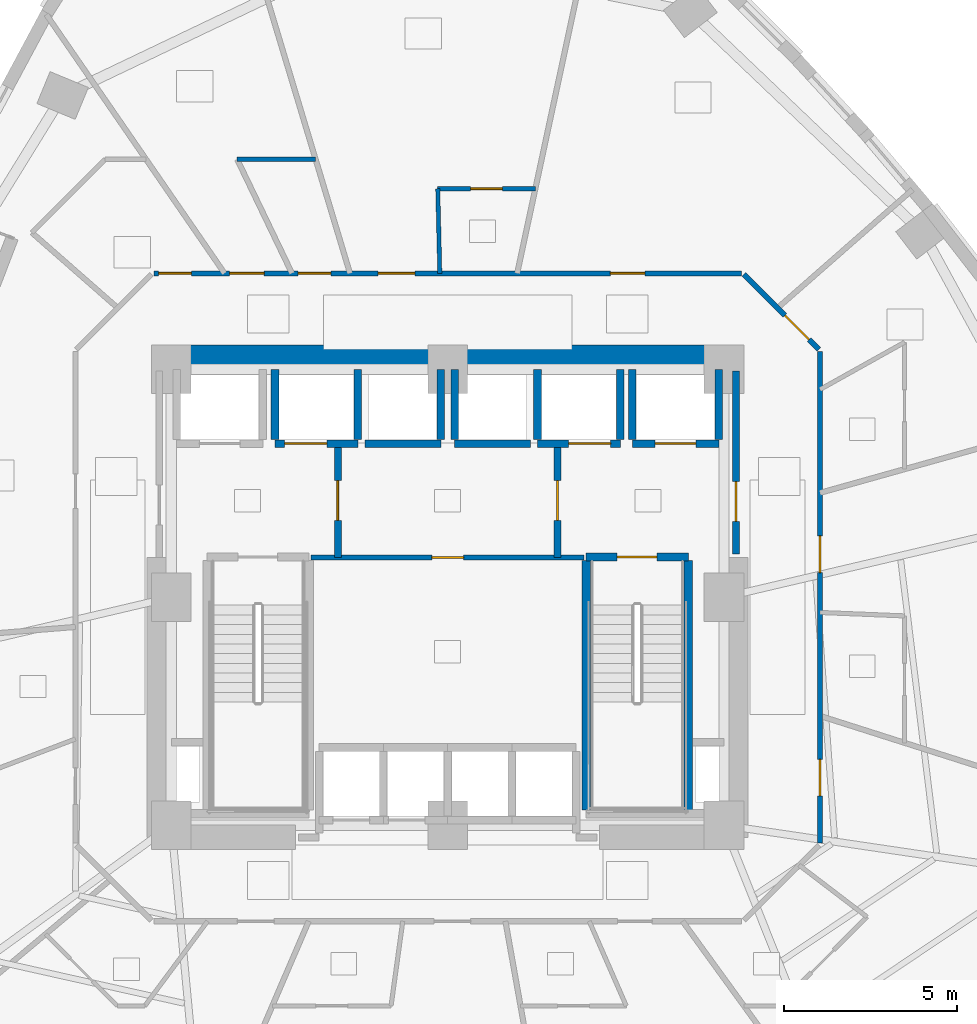
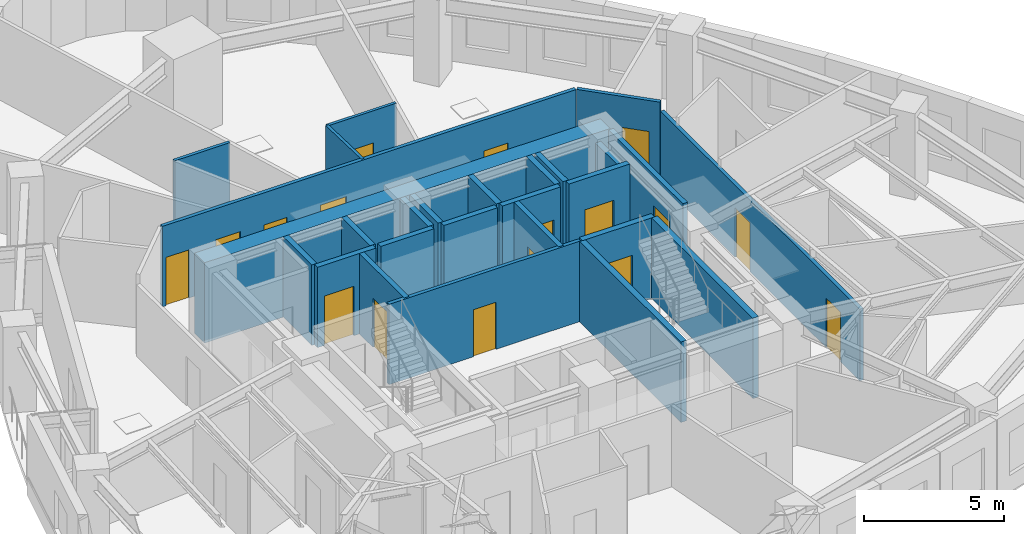
# One storey, part 7 of 12: 27 walls, 17 doors, 17 openings.
"""IFC4 building model written with IfcOpenShell, lengths in metres."""

from ifc_helpers import new_model, si_unit, direction, frame, frame_2d, origin, place, context, subcontext, project, spatial, rectangle, extrude, material, layer, layer_set, type_object, element, fill, save


model = new_model("IFC4")

# Units and contexts
model_context = context("Model", 3, precision=1e-05, world=origin(), true_north=direction((0.0, 1.0)))
body_context = subcontext(model_context, "Body", "Model", "MODEL_VIEW")
ifc_project = project(units=[si_unit("LENGTHUNIT", "METRE"), si_unit("AREAUNIT", "SQUARE_METRE"), si_unit("VOLUMEUNIT", "CUBIC_METRE"), si_unit("PLANEANGLEUNIT", "RADIAN"), si_unit("MASSUNIT", "GRAM", prefix="KILO")], contexts=[model_context])

# Site, building, storey
site_placement = place(None, origin())
site = spatial("IfcSite", under=ifc_project, at=site_placement, CompositionType="ELEMENT")
building_placement = place(site_placement, origin())
building = spatial("IfcBuilding", under=site, at=building_placement, Name="Ndelora Gate Hotel", CompositionType="ELEMENT")
storey_placement = place(building_placement, frame((0.0, 0.0, 68.0)))
storey = spatial("IfcBuildingStorey", under=building, at=storey_placement, Name="L16", CompositionType="ELEMENT", Elevation=68.0)

# Wall
ifc_material_1 = material(Name="Concrete C60/75", Category="concrete")
ifc_layer_1 = layer(ifc_material_1, 0.699951171875)
ifc_layer_set_1 = layer_set([ifc_layer_1], Name="Concrete C60/75")
wall_type_1 = type_object("IfcWallType", Name="WL-CORE-700", PredefinedType="SHEAR", material=ifc_layer_set_1)
wall_1_placement = place(storey_placement, frame((-8.35009765625, 6.949951171875, 0.0), z_axis=(0.0, 0.0, 1.0), x_axis=(1.0, 0.0, 0.0)))
element("IfcWall", 1, at=wall_1_placement, inside=storey, type_object=wall_type_1, Name="L16 Core Shear Wall N", PredefinedType="SHEAR", context=body_context, shape_type="SweptSolid", body=[
    extrude(rectangle(XDim=16.7001953125, YDim=0.699951171875, at=frame_2d((8.35009765625, 0.0))), origin(), (0.0, 0.0, 1.0), 3.5),
])

# Wall, opening, door
ifc_material_2 = material(Name="Concrete C40/50", Category="concrete")
ifc_layer_2 = layer(ifc_material_2, 0.199951171875)
ifc_layer_set_2 = layer_set([ifc_layer_2], Name="Concrete C40/50")
wall_type_2 = type_object("IfcWallType", Name="WL-FIRE-200", PredefinedType="PARTITIONING", material=ifc_layer_set_2)
wall_2_placement = place(storey_placement, frame((-3.179931640625, 1.14990234375, 0.0), z_axis=(0.0, 0.0, 1.0), x_axis=(0.0, 1.0, 0.0)))
wall_2 = element("IfcWall", 2, at=wall_2_placement, inside=storey, type_object=wall_type_2, Name="L16 Interior Wall IW-2", PredefinedType="PARTITIONING", context=body_context, shape_type="SweptSolid", body=[
    extrude(rectangle(XDim=3.300048828125, YDim=0.199951171875, at=frame_2d((1.64990234375, 0.0))), origin(), (0.0, 0.0, 1.0), 3.5),
])
opening_1_placement = place(wall_2_placement, frame((1.080078125, 0.0, 0.0)))
opening_1 = element("IfcOpeningElement", 3, at=opening_1_placement, cuts=wall_2, Name="Opening FD1", PredefinedType="OPENING", context=body_context, shape_type="SweptSolid", body=[
    extrude(rectangle(XDim=1.14990234375, YDim=2.14990234375, at=frame_2d((0.574951171875, 1.074951171875))), frame((0.0, 0.10986328125, 0.0), z_axis=(0.0, -1.0, 0.0), x_axis=(1.0, 0.0, 0.0)), (0.0, 0.0, 1.0), 0.219970703125),
])
ifc_material_3 = material(Name="Fire-Rated Timber-Veneer Steel Core", Category="steel")
door_type_1 = type_object("IfcDoorType", Name="DR-FD60", OperationType="SINGLE_SWING_LEFT", PredefinedType="DOOR", material=ifc_material_3)
door_1_placement = place(opening_1_placement, origin())
door_1 = element("IfcDoor", 4, at=door_1_placement, inside=storey, type_object=door_type_1, Name="L16 Firefighting Lobby West Door", OperationType="SINGLE_SWING_RIGHT", OverallHeight=2.14990234375, OverallWidth=1.14990234375, PredefinedType="DOOR", context=body_context, shape_type="SweptSolid", body=[
    extrude(rectangle(XDim=1.14990234375, YDim=2.14990234375, at=frame_2d((0.574951171875, 1.074951171875))), frame((0.0, 0.02490234375, 0.0), z_axis=(0.0, -1.0, 0.0), x_axis=(1.0, 0.0, 0.0)), (0.0, 0.0, 1.0), 0.050048828125),
])
fill(opening_1, door_1)

wall_3_placement = place(storey_placement, frame((3.179931640625, 1.14990234375, 0.0), z_axis=(0.0, 0.0, 1.0), x_axis=(0.0, 1.0, 0.0)))
wall_3 = element("IfcWall", 5, at=wall_3_placement, inside=storey, type_object=wall_type_2, Name="L16 Interior Wall IW-2", PredefinedType="PARTITIONING", context=body_context, shape_type="SweptSolid", body=[
    extrude(rectangle(XDim=3.300048828125, YDim=0.199951171875, at=frame_2d((1.64990234375, 0.0))), origin(), (0.0, 0.0, 1.0), 3.5),
])
opening_2_placement = place(wall_3_placement, frame((1.080078125, 0.0, 0.0)))
opening_2 = element("IfcOpeningElement", 6, at=opening_2_placement, cuts=wall_3, Name="Opening FD1", PredefinedType="OPENING", context=body_context, shape_type="SweptSolid", body=[
    extrude(rectangle(XDim=1.14990234375, YDim=2.14990234375, at=frame_2d((0.574951171875, 1.074951171875))), frame((0.0, 0.10986328125, 0.0), z_axis=(0.0, -1.0, 0.0), x_axis=(1.0, 0.0, 0.0)), (0.0, 0.0, 1.0), 0.219970703125),
])
door_2_placement = place(opening_2_placement, origin())
door_2 = element("IfcDoor", 7, at=door_2_placement, inside=storey, type_object=door_type_1, Name="L16 Firefighting Lobby East Door", OperationType="SINGLE_SWING_LEFT", OverallHeight=2.14990234375, OverallWidth=1.14990234375, PredefinedType="DOOR", context=body_context, shape_type="SweptSolid", body=[
    extrude(rectangle(XDim=1.14990234375, YDim=2.14990234375, at=frame_2d((0.574951171875, 1.074951171875))), frame((0.0, 0.02490234375, 0.0), z_axis=(0.0, -1.0, 0.0), x_axis=(1.0, 0.0, 0.0)), (0.0, 0.0, 1.0), 0.050048828125),
])
fill(opening_2, door_2)

wall_4_placement = place(storey_placement, frame((8.35009765625, 1.25, 0.0), z_axis=(0.0, 0.0, 1.0), x_axis=(0.0, 1.0, 0.0)))
wall_4 = element("IfcWall", 8, at=wall_4_placement, inside=storey, type_object=wall_type_2, Name="L16 Interior Wall IW-2", PredefinedType="PARTITIONING", context=body_context, shape_type="SweptSolid", body=[
    extrude(rectangle(XDim=5.300048828125, YDim=0.199951171875, at=frame_2d((2.64990234375, 0.0))), origin(), (0.0, 0.0, 1.0), 3.5),
])
opening_3_placement = place(wall_4_placement, frame((0.949951171875, 0.0, 0.0)))
opening_3 = element("IfcOpeningElement", 9, at=opening_3_placement, cuts=wall_4, Name="Opening FD1", PredefinedType="OPENING", context=body_context, shape_type="SweptSolid", body=[
    extrude(rectangle(XDim=1.14990234375, YDim=2.14990234375, at=frame_2d((0.574951171875, 1.074951171875))), frame((0.0, 0.10986328125, 0.0), z_axis=(0.0, -1.0, 0.0), x_axis=(1.0, 0.0, 0.0)), (0.0, 0.0, 1.0), 0.219970703125),
])
door_3_placement = place(opening_3_placement, origin())
door_3 = element("IfcDoor", 10, at=door_3_placement, inside=storey, type_object=door_type_1, Name="L16 Firefighting Lobby East Corridor Door", OperationType="SINGLE_SWING_RIGHT", OverallHeight=2.14990234375, OverallWidth=1.14990234375, PredefinedType="DOOR", context=body_context, shape_type="SweptSolid", body=[
    extrude(rectangle(XDim=1.14990234375, YDim=2.14990234375, at=frame_2d((0.574951171875, 1.074951171875))), frame((0.0, 0.02490234375, 0.0), z_axis=(0.0, -1.0, 0.0), x_axis=(1.0, 0.0, 0.0)), (0.0, 0.0, 1.0), 0.050048828125),
])
fill(opening_3, door_3)

ifc_material_4 = material(Name="Fire-Rated Gypsum Stud Partition", Category="gypsum")
ifc_layer_3 = layer(ifc_material_4, 0.14990234375)
ifc_layer_set_3 = layer_set([ifc_layer_3], Name="Fire-Rated Gypsum Stud Partition")
wall_type_3 = type_object("IfcWallType", Name="WL-PART-150", PredefinedType="PARTITIONING", material=ifc_layer_set_3)
wall_5_placement = place(storey_placement, frame((3.949951171875, 1.14990234375, 0.0), z_axis=(0.0, 0.0, 1.0), x_axis=(-1.0, 0.0, 0.0)))
wall_5 = element("IfcWall", 11, at=wall_5_placement, inside=storey, type_object=wall_type_3, Name="L16 Interior Wall IW-5", PredefinedType="PARTITIONING", context=body_context, shape_type="SweptSolid", body=[
    extrude(rectangle(XDim=7.89990234375, YDim=0.14990234375, at=frame_2d((3.949951171875, 0.0))), origin(), (0.0, 0.0, 1.0), 3.5),
])
opening_4_placement = place(wall_5_placement, frame((3.489990234375, 0.0, 0.0)))
opening_4 = element("IfcOpeningElement", 12, at=opening_4_placement, cuts=wall_5, Name="Opening D04", PredefinedType="OPENING", context=body_context, shape_type="SweptSolid", body=[
    extrude(rectangle(XDim=0.919921875, YDim=2.050048828125, at=frame_2d((0.4599609375, 1.02490234375))), frame((0.0, 0.0849609375, 0.0), z_axis=(0.0, -1.0, 0.0), x_axis=(1.0, 0.0, 0.0)), (0.0, 0.0, 1.0), 0.169921875),
])
ifc_material_5 = material(Name="Painted Steel Core Service Door", Category="steel")
door_type_2 = type_object("IfcDoorType", Name="DR-SER-920", OperationType="SINGLE_SWING_LEFT", PredefinedType="DOOR", material=ifc_material_5)
door_4_placement = place(opening_4_placement, origin())
door_4 = element("IfcDoor", 13, at=door_4_placement, inside=storey, type_object=door_type_2, Name="L16 Core Electrical and Linen Service Store Door", OperationType="SINGLE_SWING_LEFT", OverallHeight=2.050048828125, OverallWidth=0.919921875, PredefinedType="DOOR", context=body_context, shape_type="SweptSolid", body=[
    extrude(rectangle(XDim=0.919921875, YDim=2.050048828125, at=frame_2d((0.4599609375, 1.02490234375))), frame((0.0, 0.02490234375, 0.0), z_axis=(0.0, -1.0, 0.0), x_axis=(1.0, 0.0, 0.0)), (0.0, 0.0, 1.0), 0.050048828125),
])
fill(opening_4, door_4)

# Wall, openings, doors
wall_6_placement = place(storey_placement, frame((10.780029296875, 7.110107421875, 0.0), z_axis=(0.0, 0.0, 1.0), x_axis=(0.0, -1.0, 0.0)))
wall_6 = element("IfcWall", 14, at=wall_6_placement, inside=storey, type_object=wall_type_3, Name="L16 Interior Wall IW-5", PredefinedType="PARTITIONING", context=body_context, shape_type="SweptSolid", body=[
    extrude(rectangle(XDim=14.22021484375, YDim=0.14990234375, at=frame_2d((7.110107421875, 0.0))), origin(), (0.0, 0.0, 1.0), 3.1201171875),
])
opening_5_placement = place(wall_6_placement, frame((5.33447265625, 0.0, 0.0)))
opening_5 = element("IfcOpeningElement", 15, at=opening_5_placement, cuts=wall_6, Name="Opening D07", PredefinedType="OPENING", context=body_context, shape_type="SweptSolid", body=[
    extrude(rectangle(XDim=1.06005859375, YDim=2.14990234375, at=frame_2d((0.530029296875, 1.074951171875))), frame((0.0, 0.0849609375, 0.0), z_axis=(0.0, -1.0, 0.0), x_axis=(1.0, 0.0, 0.0)), (0.0, 0.0, 1.0), 0.169921875),
])
opening_6_placement = place(wall_6_placement, frame((11.8017578125, 0.0, 0.0)))
opening_6 = element("IfcOpeningElement", 16, at=opening_6_placement, cuts=wall_6, Name="Opening D07", PredefinedType="OPENING", context=body_context, shape_type="SweptSolid", body=[
    extrude(rectangle(XDim=1.06005859375, YDim=2.14990234375, at=frame_2d((0.530029296875, 1.074951171875))), frame((0.0, 0.0849609375, 0.0), z_axis=(0.0, -1.0, 0.0), x_axis=(1.0, 0.0, 0.0)), (0.0, 0.0, 1.0), 0.169921875),
])
ifc_material_6 = material(Name="Diplomatic Suite Acoustic Entrance Door", Category="wood")
door_type_3 = type_object("IfcDoorType", Name="DR-SUITE-1060", OperationType="SINGLE_SWING_LEFT", PredefinedType="DOOR", material=ifc_material_6)
door_5_placement = place(opening_5_placement, origin())
door_5 = element("IfcDoor", 17, at=door_5_placement, inside=storey, type_object=door_type_3, Name="L16 Corner Diplomatic Suite 1906 Entrance Door", OperationType="SINGLE_SWING_LEFT", OverallHeight=2.14990234375, OverallWidth=1.06005859375, PredefinedType="DOOR", context=body_context, shape_type="SweptSolid", body=[
    extrude(rectangle(XDim=1.06005859375, YDim=2.14990234375, at=frame_2d((0.530029296875, 1.074951171875))), frame((0.0, 0.02490234375, 0.0), z_axis=(0.0, -1.0, 0.0), x_axis=(1.0, 0.0, 0.0)), (0.0, 0.0, 1.0), 0.050048828125),
])
fill(opening_5, door_5)
door_6_placement = place(opening_6_placement, origin())
door_6 = element("IfcDoor", 18, at=door_6_placement, inside=storey, type_object=door_type_3, Name="L16 Deluxe King Junior Suite 1905 Entrance Door", OperationType="SINGLE_SWING_LEFT", OverallHeight=2.14990234375, OverallWidth=1.06005859375, PredefinedType="DOOR", context=body_context, shape_type="SweptSolid", body=[
    extrude(rectangle(XDim=1.06005859375, YDim=2.14990234375, at=frame_2d((0.530029296875, 1.074951171875))), frame((0.0, 0.02490234375, 0.0), z_axis=(0.0, -1.0, 0.0), x_axis=(1.0, 0.0, 0.0)), (0.0, 0.0, 1.0), 0.050048828125),
])
fill(opening_6, door_6)

# Wall, opening, door
wall_7_placement = place(storey_placement, frame((8.578369140625, 9.351806640625, 0.0), z_axis=(0.0, 0.0, 1.0), x_axis=(0.707067066127, -0.707146494016, 0.0)))
wall_7 = element("IfcWall", 19, at=wall_7_placement, inside=storey, type_object=wall_type_3, Name="L16 Interior Wall IW-5", PredefinedType="PARTITIONING", context=body_context, shape_type="SweptSolid", body=[
    extrude(rectangle(XDim=3.07373046875, YDim=0.14990234375, at=frame_2d((1.536865234375, 0.0))), origin(), (0.0, 0.0, 1.0), 3.5),
])
opening_7_placement = place(wall_7_placement, frame((1.67578125, 0.0, 0.0)))
opening_7 = element("IfcOpeningElement", 20, at=opening_7_placement, cuts=wall_7, Name="Opening D01", PredefinedType="OPENING", context=body_context, shape_type="SweptSolid", body=[
    extrude(rectangle(XDim=1.0, YDim=2.14990234375, at=frame_2d((0.5, 1.074951171875))), frame((0.0, 0.0849609375, 0.0), z_axis=(0.0, -1.0, 0.0), x_axis=(1.0, 0.0, 0.0)), (0.0, 0.0, 1.0), 0.169921875),
])
ifc_material_7 = material(Name="Acoustic Hardwood Guest Entrance Door", Category="wood")
door_type_4 = type_object("IfcDoorType", Name="DR-COR-1000", OperationType="SINGLE_SWING_LEFT", PredefinedType="DOOR", material=ifc_material_7)
door_7_placement = place(opening_7_placement, origin())
door_7 = element("IfcDoor", 21, at=door_7_placement, inside=storey, type_object=door_type_4, Name="L16 Twin Guest Room 1907 Entrance Door", OperationType="SINGLE_SWING_RIGHT", OverallHeight=2.14990234375, OverallWidth=1.0, PredefinedType="DOOR", context=body_context, shape_type="SweptSolid", body=[
    extrude(rectangle(XDim=1.0, YDim=2.14990234375, at=frame_2d((0.5, 1.074951171875))), frame((0.0, 0.02490234375, 0.0), z_axis=(0.0, -1.0, 0.0), x_axis=(1.0, 0.0, 0.0)), (0.0, 0.0, 1.0), 0.050048828125),
])
fill(opening_7, door_7)

# Wall, openings, doors
wall_8_placement = place(storey_placement, frame((-8.510009765625, 9.3798828125, 0.0), z_axis=(0.0, 0.0, 1.0), x_axis=(1.0, 0.0, 0.0)))
wall_8 = element("IfcWall", 22, at=wall_8_placement, inside=storey, type_object=wall_type_3, Name="L16 Interior Wall IW-5", PredefinedType="PARTITIONING", context=body_context, shape_type="SweptSolid", body=[
    extrude(rectangle(XDim=17.02001953125, YDim=0.14990234375, at=frame_2d((8.510009765625, 0.0))), origin(), (0.0, 0.0, 1.0), 3.5),
])
opening_8_placement = place(wall_8_placement, frame((4.1767578125, 0.0, 0.0)))
opening_8 = element("IfcOpeningElement", 23, at=opening_8_placement, cuts=wall_8, Name="Opening D05", PredefinedType="OPENING", context=body_context, shape_type="SweptSolid", body=[
    extrude(rectangle(XDim=0.949951171875, YDim=2.10009765625, at=frame_2d((0.47509765625, 1.050048828125))), frame((0.0, 0.0849609375, 0.0), z_axis=(0.0, -1.0, 0.0), x_axis=(1.0, 0.0, 0.0)), (0.0, 0.0, 1.0), 0.169921875),
])
opening_9_placement = place(wall_8_placement, frame((0.139892578125, 0.0, 0.0)))
opening_9 = element("IfcOpeningElement", 24, at=opening_9_placement, cuts=wall_8, Name="Opening D05", PredefinedType="OPENING", context=body_context, shape_type="SweptSolid", body=[
    extrude(rectangle(XDim=0.949951171875, YDim=2.10009765625, at=frame_2d((0.47509765625, 1.050048828125))), frame((0.0, 0.0849609375, 0.0), z_axis=(0.0, -1.0, 0.0), x_axis=(1.0, 0.0, 0.0)), (0.0, 0.0, 1.0), 0.169921875),
])
opening_10_placement = place(wall_8_placement, frame((2.1943359375, 0.0, 0.0)))
opening_10 = element("IfcOpeningElement", 25, at=opening_10_placement, cuts=wall_8, Name="Opening D01", PredefinedType="OPENING", context=body_context, shape_type="SweptSolid", body=[
    extrude(rectangle(XDim=1.0, YDim=2.14990234375, at=frame_2d((0.5, 1.074951171875))), frame((0.0, 0.0849609375, 0.0), z_axis=(0.0, -1.0, 0.0), x_axis=(1.0, 0.0, 0.0)), (0.0, 0.0, 1.0), 0.169921875),
])
opening_11_placement = place(wall_8_placement, frame((13.221435546875, 0.0, 0.0)))
opening_11 = element("IfcOpeningElement", 26, at=opening_11_placement, cuts=wall_8, Name="Opening D01", PredefinedType="OPENING", context=body_context, shape_type="SweptSolid", body=[
    extrude(rectangle(XDim=1.0, YDim=2.14990234375, at=frame_2d((0.5, 1.074951171875))), frame((0.0, 0.0849609375, 0.0), z_axis=(0.0, -1.0, 0.0), x_axis=(1.0, 0.0, 0.0)), (0.0, 0.0, 1.0), 0.169921875),
])
opening_12_placement = place(wall_8_placement, frame((6.498046875, 0.0, 0.0)))
opening_12 = element("IfcOpeningElement", 27, at=opening_12_placement, cuts=wall_8, Name="Opening D07", PredefinedType="OPENING", context=body_context, shape_type="SweptSolid", body=[
    extrude(rectangle(XDim=1.06005859375, YDim=2.14990234375, at=frame_2d((0.530029296875, 1.074951171875))), frame((0.0, 0.0849609375, 0.0), z_axis=(0.0, -1.0, 0.0), x_axis=(1.0, 0.0, 0.0)), (0.0, 0.0, 1.0), 0.169921875),
])
ifc_material_8 = material(Name="Accessible Restroom Wide-Clearance Door", Category="wood")
door_type_5 = type_object("IfcDoorType", Name="DR-ACC-950", OperationType="SINGLE_SWING_LEFT", PredefinedType="DOOR", material=ifc_material_8)
door_8_placement = place(opening_8_placement, origin())
door_8 = element("IfcDoor", 28, at=door_8_placement, inside=storey, type_object=door_type_5, Name="L16 Male Public Restroom Entrance Door", OperationType="SINGLE_SWING_RIGHT", OverallHeight=2.10009765625, OverallWidth=0.949951171875, PredefinedType="DOOR", context=body_context, shape_type="SweptSolid", body=[
    extrude(rectangle(XDim=0.949951171875, YDim=2.10009765625, at=frame_2d((0.47509765625, 1.050048828125))), frame((0.0, 0.02490234375, 0.0), z_axis=(0.0, -1.0, 0.0), x_axis=(1.0, 0.0, 0.0)), (0.0, 0.0, 1.0), 0.050048828125),
])
fill(opening_8, door_8)
door_9_placement = place(opening_9_placement, origin())
door_9 = element("IfcDoor", 29, at=door_9_placement, inside=storey, type_object=door_type_5, Name="L16 Accessible WC Entrance Door", OperationType="SINGLE_SWING_LEFT", OverallHeight=2.10009765625, OverallWidth=0.949951171875, PredefinedType="DOOR", context=body_context, shape_type="SweptSolid", body=[
    extrude(rectangle(XDim=0.949951171875, YDim=2.10009765625, at=frame_2d((0.47509765625, 1.050048828125))), frame((0.0, 0.02490234375, 0.0), z_axis=(0.0, -1.0, 0.0), x_axis=(1.0, 0.0, 0.0)), (0.0, 0.0, 1.0), 0.050048828125),
])
fill(opening_9, door_9)
door_10_placement = place(opening_10_placement, origin())
door_10 = element("IfcDoor", 30, at=door_10_placement, inside=storey, type_object=door_type_4, Name="L16 Housekeeping and Linen Room Entrance Door", OperationType="SINGLE_SWING_RIGHT", OverallHeight=2.14990234375, OverallWidth=1.0, PredefinedType="DOOR", context=body_context, shape_type="SweptSolid", body=[
    extrude(rectangle(XDim=1.0, YDim=2.14990234375, at=frame_2d((0.5, 1.074951171875))), frame((0.0, 0.02490234375, 0.0), z_axis=(0.0, -1.0, 0.0), x_axis=(1.0, 0.0, 0.0)), (0.0, 0.0, 1.0), 0.050048828125),
])
fill(opening_10, door_10)
door_11_placement = place(opening_11_placement, origin())
door_11 = element("IfcDoor", 31, at=door_11_placement, inside=storey, type_object=door_type_4, Name="L16 Executive Meeting Room Entrance Door", OperationType="SINGLE_SWING_LEFT", OverallHeight=2.14990234375, OverallWidth=1.0, PredefinedType="DOOR", context=body_context, shape_type="SweptSolid", body=[
    extrude(rectangle(XDim=1.0, YDim=2.14990234375, at=frame_2d((0.5, 1.074951171875))), frame((0.0, 0.02490234375, 0.0), z_axis=(0.0, -1.0, 0.0), x_axis=(1.0, 0.0, 0.0)), (0.0, 0.0, 1.0), 0.050048828125),
])
fill(opening_11, door_11)
door_12_placement = place(opening_12_placement, origin())
door_12 = element("IfcDoor", 32, at=door_12_placement, inside=storey, type_object=door_type_3, Name="L16 Deluxe King Junior Suite 1908 Entrance Door", OperationType="SINGLE_SWING_RIGHT", OverallHeight=2.14990234375, OverallWidth=1.06005859375, PredefinedType="DOOR", context=body_context, shape_type="SweptSolid", body=[
    extrude(rectangle(XDim=1.06005859375, YDim=2.14990234375, at=frame_2d((0.530029296875, 1.074951171875))), frame((0.0, 0.02490234375, 0.0), z_axis=(0.0, -1.0, 0.0), x_axis=(1.0, 0.0, 0.0)), (0.0, 0.0, 1.0), 0.050048828125),
])
fill(opening_12, door_12)

# Wall, opening, door
ifc_layer_4 = layer(ifc_material_2, 0.219970703125)
ifc_layer_set_4 = layer_set([ifc_layer_4], Name="Concrete C40/50")
wall_type_4 = type_object("IfcWallType", Name="WL-SHAFT-220", PredefinedType="PARTITIONING", material=ifc_layer_set_4)
wall_9_placement = place(storey_placement, frame((5.35009765625, 4.449951171875, 0.0), z_axis=(0.0, 0.0, 1.0), x_axis=(1.0, 0.0, 0.0)))
wall_9 = element("IfcWall", 33, at=wall_9_placement, inside=storey, type_object=wall_type_4, Name="L16 Interior Wall IW-1", PredefinedType="PARTITIONING", context=body_context, shape_type="SweptSolid", body=[
    extrude(rectangle(XDim=2.5, YDim=0.219970703125, at=frame_2d((1.25, 0.0))), origin(), (0.0, 0.0, 1.0), 3.5),
])
opening_13_placement = place(wall_9_placement, frame((0.659912109375, 0.0, 0.0)))
opening_13 = element("IfcOpeningElement", 34, at=opening_13_placement, cuts=wall_9, Name="Opening LD5", PredefinedType="OPENING", context=body_context, shape_type="SweptSolid", body=[
    extrude(rectangle(XDim=1.179931640625, YDim=2.14990234375, at=frame_2d((0.58984375, 1.074951171875))), frame((0.0, 0.1201171875, 0.0), z_axis=(0.0, -1.0, 0.0), x_axis=(1.0, 0.0, 0.0)), (0.0, 0.0, 1.0), 0.239990234375),
])
ifc_material_9 = material(Name="Firefighting Lift Stainless Sliding Landing Door", Category="metal")
door_type_6 = type_object("IfcDoorType", Name="DR-LD5", OperationType="DOUBLE_DOOR_SLIDING", PredefinedType="DOOR", material=ifc_material_9)
door_13_placement = place(opening_13_placement, origin())
door_13 = element("IfcDoor", 35, at=door_13_placement, inside=storey, type_object=door_type_6, Name="L16 Lift Landing Sliding Door FFL2", OperationType="DOUBLE_DOOR_SLIDING", OverallHeight=2.14990234375, OverallWidth=1.179931640625, PredefinedType="DOOR", context=body_context, shape_type="SweptSolid", body=[
    extrude(rectangle(XDim=1.179931640625, YDim=2.14990234375, at=frame_2d((0.58984375, 1.074951171875))), frame((0.0, 0.02490234375, 0.0), z_axis=(0.0, -1.0, 0.0), x_axis=(1.0, 0.0, 0.0)), (0.0, 0.0, 1.0), 0.050048828125),
])
fill(opening_13, door_13)

# Walls
wall_10_placement = place(storey_placement, frame((5.35009765625, 4.570068359375, 0.0), z_axis=(0.0, 0.0, 1.0), x_axis=(0.0, 1.0, 0.0)))
element("IfcWall", 36, at=wall_10_placement, inside=storey, type_object=wall_type_4, Name="L16 Interior Wall IW-1", PredefinedType="PARTITIONING", context=body_context, shape_type="SweptSolid", body=[
    extrude(rectangle(XDim=2.030029296875, YDim=0.219970703125, at=frame_2d((1.01513671875, 0.0))), origin(), (0.0, 0.0, 1.0), 3.5),
])
wall_11_placement = place(storey_placement, frame((7.85009765625, 4.570068359375, 0.0), z_axis=(0.0, 0.0, 1.0), x_axis=(0.0, 1.0, 0.0)))
element("IfcWall", 37, at=wall_11_placement, inside=storey, type_object=wall_type_4, Name="L16 Interior Wall IW-1", PredefinedType="PARTITIONING", context=body_context, shape_type="SweptSolid", body=[
    extrude(rectangle(XDim=2.030029296875, YDim=0.219970703125, at=frame_2d((1.01513671875, 0.0))), origin(), (0.0, 0.0, 1.0), 3.080078125),
])

# Wall, opening, door
wall_12_placement = place(storey_placement, frame((-5.0, 4.449951171875, 0.0), z_axis=(0.0, 0.0, 1.0), x_axis=(1.0, 0.0, 0.0)))
wall_12 = element("IfcWall", 38, at=wall_12_placement, inside=storey, type_object=wall_type_4, Name="L16 Interior Wall IW-1", PredefinedType="PARTITIONING", context=body_context, shape_type="SweptSolid", body=[
    extrude(rectangle(XDim=2.39990234375, YDim=0.219970703125, at=frame_2d((1.199951171875, 0.0))), origin(), (0.0, 0.0, 1.0), 3.5),
])
opening_14_placement = place(wall_12_placement, frame((0.280029296875, 0.0, 0.0)))
opening_14 = element("IfcOpeningElement", 39, at=opening_14_placement, cuts=wall_12, Name="Opening LD6", PredefinedType="OPENING", context=body_context, shape_type="SweptSolid", body=[
    extrude(rectangle(XDim=1.219970703125, YDim=2.14990234375, at=frame_2d((0.60986328125, 1.074951171875))), frame((0.0, 0.1201171875, 0.0), z_axis=(0.0, -1.0, 0.0), x_axis=(1.0, 0.0, 0.0)), (0.0, 0.0, 1.0), 0.239990234375),
])
ifc_material_10 = material(Name="Heavy-Duty Service Lift Sliding Landing Door", Category="wood")
door_type_7 = type_object("IfcDoorType", Name="DR-LD6", OperationType="DOUBLE_DOOR_SLIDING", PredefinedType="DOOR", material=ifc_material_10)
door_14_placement = place(opening_14_placement, origin())
door_14 = element("IfcDoor", 40, at=door_14_placement, inside=storey, type_object=door_type_7, Name="L16 Lift Landing Sliding Door SVL1", OperationType="DOUBLE_DOOR_SLIDING", OverallHeight=2.14990234375, OverallWidth=1.219970703125, PredefinedType="DOOR", context=body_context, shape_type="SweptSolid", body=[
    extrude(rectangle(XDim=1.219970703125, YDim=2.14990234375, at=frame_2d((0.60986328125, 1.074951171875))), frame((0.0, 0.02490234375, 0.0), z_axis=(0.0, -1.0, 0.0), x_axis=(1.0, 0.0, 0.0)), (0.0, 0.0, 1.0), 0.050048828125),
])
fill(opening_14, door_14)

# Walls
for number, where, z_axis, x_axis, name in (
    (41, (-5.0, 4.570068359375, 0.0), (0.0, 0.0, 1.0), (0.0, 1.0, 0.0), "L16 Interior Wall IW-1"),
    (42, (-2.60009765625, 4.570068359375, 0.0), (0.0, 0.0, 1.0), (0.0, 1.0, 0.0), "L16 Interior Wall IW-1"),
):
    element("IfcWall", number, at=place(storey_placement, frame(where, z_axis=z_axis, x_axis=x_axis)), inside=storey, type_object=wall_type_4, Name=name, PredefinedType="PARTITIONING", context=body_context, shape_type="SweptSolid", body=[
        extrude(rectangle(XDim=2.030029296875, YDim=0.219970703125, at=frame_2d((1.01513671875, 0.0))), origin(), (0.0, 0.0, 1.0), 3.5),
    ])

# Wall, opening, door
wall_13_placement = place(storey_placement, frame((2.60009765625, 4.449951171875, 0.0), z_axis=(0.0, 0.0, 1.0), x_axis=(1.0, 0.0, 0.0)))
wall_13 = element("IfcWall", 43, at=wall_13_placement, inside=storey, type_object=wall_type_4, Name="L16 Interior Wall IW-1", PredefinedType="PARTITIONING", context=body_context, shape_type="SweptSolid", body=[
    extrude(rectangle(XDim=2.39990234375, YDim=0.219970703125, at=frame_2d((1.199951171875, 0.0))), origin(), (0.0, 0.0, 1.0), 3.5),
])
opening_15_placement = place(wall_13_placement, frame((0.89990234375, 0.0, 0.0)))
opening_15 = element("IfcOpeningElement", 44, at=opening_15_placement, cuts=wall_13, Name="Opening LD6", PredefinedType="OPENING", context=body_context, shape_type="SweptSolid", body=[
    extrude(rectangle(XDim=1.219970703125, YDim=2.14990234375, at=frame_2d((0.60986328125, 1.074951171875))), frame((0.0, 0.1201171875, 0.0), z_axis=(0.0, -1.0, 0.0), x_axis=(1.0, 0.0, 0.0)), (0.0, 0.0, 1.0), 0.239990234375),
])
door_15_placement = place(opening_15_placement, origin())
door_15 = element("IfcDoor", 45, at=door_15_placement, inside=storey, type_object=door_type_7, Name="L16 Lift Landing Sliding Door SVL2", OperationType="DOUBLE_DOOR_SLIDING", OverallHeight=2.14990234375, OverallWidth=1.219970703125, PredefinedType="DOOR", context=body_context, shape_type="SweptSolid", body=[
    extrude(rectangle(XDim=1.219970703125, YDim=2.14990234375, at=frame_2d((0.60986328125, 1.074951171875))), frame((0.0, 0.02490234375, 0.0), z_axis=(0.0, -1.0, 0.0), x_axis=(1.0, 0.0, 0.0)), (0.0, 0.0, 1.0), 0.050048828125),
])
fill(opening_15, door_15)

# Walls
for number, where, z_axis, x_axis, name in (
    (46, (2.60009765625, 4.570068359375, 0.0), (0.0, 0.0, 1.0), (0.0, 1.0, 0.0), "L16 Interior Wall IW-1"),
    (47, (5.0, 4.570068359375, 0.0), (0.0, 0.0, 1.0), (0.0, 1.0, 0.0), "L16 Interior Wall IW-1"),
):
    element("IfcWall", number, at=place(storey_placement, frame(where, z_axis=z_axis, x_axis=x_axis)), inside=storey, type_object=wall_type_4, Name=name, PredefinedType="PARTITIONING", context=body_context, shape_type="SweptSolid", body=[
        extrude(rectangle(XDim=2.030029296875, YDim=0.219970703125, at=frame_2d((1.01513671875, 0.0))), origin(), (0.0, 0.0, 1.0), 3.5),
    ])
wall_14_placement = place(storey_placement, frame((-2.39990234375, 4.449951171875, 0.0), z_axis=(0.0, 0.0, 1.0), x_axis=(1.0, 0.0, 0.0)))
element("IfcWall", 48, at=wall_14_placement, inside=storey, type_object=wall_type_4, Name="L16 Interior Wall IW-1", PredefinedType="PARTITIONING", context=body_context, shape_type="SweptSolid", body=[
    extrude(rectangle(XDim=2.199951171875, YDim=0.219970703125, at=frame_2d((1.10009765625, 0.0))), origin(), (0.0, 0.0, 1.0), 3.5),
])
wall_15_placement = place(storey_placement, frame((-0.199951171875, 4.570068359375, 0.0), z_axis=(0.0, 0.0, 1.0), x_axis=(0.0, 1.0, 0.0)))
element("IfcWall", 49, at=wall_15_placement, inside=storey, type_object=wall_type_4, Name="L16 Interior Wall IW-1", PredefinedType="PARTITIONING", context=body_context, shape_type="SweptSolid", body=[
    extrude(rectangle(XDim=2.030029296875, YDim=0.219970703125, at=frame_2d((1.01513671875, 0.0))), origin(), (0.0, 0.0, 1.0), 3.5),
])
wall_16_placement = place(storey_placement, frame((0.199951171875, 4.449951171875, 0.0), z_axis=(0.0, 0.0, 1.0), x_axis=(1.0, 0.0, 0.0)))
element("IfcWall", 50, at=wall_16_placement, inside=storey, type_object=wall_type_4, Name="L16 Interior Wall IW-1", PredefinedType="PARTITIONING", context=body_context, shape_type="SweptSolid", body=[
    extrude(rectangle(XDim=2.199951171875, YDim=0.219970703125, at=frame_2d((1.10009765625, 0.0))), origin(), (0.0, 0.0, 1.0), 3.5),
])
wall_17_placement = place(storey_placement, frame((0.199951171875, 4.570068359375, 0.0), z_axis=(0.0, 0.0, 1.0), x_axis=(0.0, 1.0, 0.0)))
element("IfcWall", 51, at=wall_17_placement, inside=storey, type_object=wall_type_4, Name="L16 Interior Wall IW-1", PredefinedType="PARTITIONING", context=body_context, shape_type="SweptSolid", body=[
    extrude(rectangle(XDim=2.030029296875, YDim=0.219970703125, at=frame_2d((1.01513671875, 0.0))), origin(), (0.0, 0.0, 1.0), 3.5),
])
ifc_material_11 = material(Name="Concrete C50/60", Category="concrete")
ifc_layer_5 = layer(ifc_material_11, 0.239990234375)
ifc_layer_set_5 = layer_set([ifc_layer_5], Name="Concrete C50/60")
wall_type_5 = type_object("IfcWallType", Name="WL-STAIR-240", PredefinedType="SHEAR", material=ifc_layer_set_5)
for number, where, z_axis, x_axis, name in (
    (52, (4.010009765625, -6.159912109375, 0.0), (0.0, 0.0, 1.0), (0.0, 1.0, 0.0), "L16 Stair Core Shear Wall SW-ST"),
    (53, (6.969970703125, -6.159912109375, 0.0), (0.0, 0.0, 1.0), (0.0, 1.0, 0.0), "L16 Stair Core Shear Wall SW-ST"),
):
    element("IfcWall", number, at=place(storey_placement, frame(where, z_axis=z_axis, x_axis=x_axis)), inside=storey, type_object=wall_type_5, Name=name, PredefinedType="SHEAR", context=body_context, shape_type="SweptSolid", body=[
        extrude(rectangle(XDim=7.219970703125, YDim=0.239990234375, at=frame_2d((3.60986328125, 0.0))), origin(), (0.0, 0.0, 1.0), 3.5),
    ])

# Wall, opening, door
wall_18_placement = place(storey_placement, frame((4.010009765625, 1.169921875, 0.0), z_axis=(0.0, 0.0, 1.0), x_axis=(1.0, 0.0, 0.0)))
wall_18 = element("IfcWall", 54, at=wall_18_placement, inside=storey, type_object=wall_type_5, Name="L16 Stair Core Shear Wall SW-ST", PredefinedType="SHEAR", context=body_context, shape_type="SweptSolid", body=[
    extrude(rectangle(XDim=2.9599609375, YDim=0.239990234375, at=frame_2d((1.47998046875, 0.0))), origin(), (0.0, 0.0, 1.0), 3.5),
])
opening_16_placement = place(wall_18_placement, frame((0.89990234375, 0.0, 0.0)))
opening_16 = element("IfcOpeningElement", 55, at=opening_16_placement, cuts=wall_18, Name="Opening FD1", PredefinedType="OPENING", context=body_context, shape_type="SweptSolid", body=[
    extrude(rectangle(XDim=1.14990234375, YDim=2.14990234375, at=frame_2d((0.574951171875, 1.074951171875))), frame((0.0, 0.1298828125, 0.0), z_axis=(0.0, -1.0, 0.0), x_axis=(1.0, 0.0, 0.0)), (0.0, 0.0, 1.0), 0.260009765625),
])
door_16_placement = place(opening_16_placement, origin())
door_16 = element("IfcDoor", 56, at=door_16_placement, inside=storey, type_object=door_type_1, Name="L16 Exit Stair ST5 Door", OperationType="SINGLE_SWING_RIGHT", OverallHeight=2.14990234375, OverallWidth=1.14990234375, PredefinedType="DOOR", context=body_context, shape_type="SweptSolid", body=[
    extrude(rectangle(XDim=1.14990234375, YDim=2.14990234375, at=frame_2d((0.574951171875, 1.074951171875))), frame((0.0, 0.02490234375, 0.0), z_axis=(0.0, -1.0, 0.0), x_axis=(1.0, 0.0, 0.0)), (0.0, 0.0, 1.0), 0.050048828125),
])
fill(opening_16, door_16)

# Wall
ifc_material_12 = material(Name="Moisture-Resistant Bathroom Tile Partition", Category="gypsum")
ifc_layer_6 = layer(ifc_material_12, 0.1201171875)
ifc_layer_set_6 = layer_set([ifc_layer_6], Name="Moisture-Resistant Bathroom Tile Partition")
wall_type_6 = type_object("IfcWallType", Name="WL-WET-120", PredefinedType="PARTITIONING", material=ifc_layer_set_6)
wall_19_placement = place(storey_placement, frame((-0.227294921875, 9.3798828125, 0.0), z_axis=(0.0, 0.0, 1.0), x_axis=(-0.024305292765, 0.999704582736, 0.0)))
element("IfcWall", 57, at=wall_19_placement, inside=storey, type_object=wall_type_6, Name="L16 Interior Wall IW-7", PredefinedType="PARTITIONING", context=body_context, shape_type="SweptSolid", body=[
    extrude(rectangle(XDim=2.450927734375, YDim=0.1201171875, at=frame_2d((1.2255859375, 0.0))), origin(), (0.0, 0.0, 1.0), 3.5),
])

# Wall, opening, door
wall_20_placement = place(storey_placement, frame((-0.286865234375, 11.830078125, 0.0), z_axis=(0.0, 0.0, 1.0), x_axis=(1.0, 0.0, 0.0)))
wall_20 = element("IfcWall", 58, at=wall_20_placement, inside=storey, type_object=wall_type_6, Name="L16 Interior Wall IW-7", PredefinedType="PARTITIONING", context=body_context, shape_type="SweptSolid", body=[
    extrude(rectangle(XDim=2.825439453125, YDim=0.1201171875, at=frame_2d((1.41259765625, 0.0))), origin(), (0.0, 0.0, 1.0), 3.5),
])
opening_17_placement = place(wall_20_placement, frame((0.95263671875, 0.0, 0.0)))
opening_17 = element("IfcOpeningElement", 59, at=opening_17_placement, cuts=wall_20, Name="Opening D03", PredefinedType="OPENING", context=body_context, shape_type="SweptSolid", body=[
    extrude(rectangle(XDim=0.919921875, YDim=2.10009765625, at=frame_2d((0.4599609375, 1.050048828125))), frame((0.0, 0.070068359375, 0.0), z_axis=(0.0, -1.0, 0.0), x_axis=(1.0, 0.0, 0.0)), (0.0, 0.0, 1.0), 0.14013671875),
])
ifc_material_13 = material(Name="Moisture-Resistant Hardwood En-Suite Door", Category="wood")
door_type_8 = type_object("IfcDoorType", Name="DR-BATH-920", OperationType="SINGLE_SWING_LEFT", PredefinedType="DOOR", material=ifc_material_13)
door_17_placement = place(opening_17_placement, origin())
door_17 = element("IfcDoor", 60, at=door_17_placement, inside=storey, type_object=door_type_8, Name="L16 En-suite Bathroom 1908 Door", OperationType="SINGLE_SWING_LEFT", OverallHeight=2.10009765625, OverallWidth=0.919921875, PredefinedType="DOOR", context=body_context, shape_type="SweptSolid", body=[
    extrude(rectangle(XDim=0.919921875, YDim=2.10009765625, at=frame_2d((0.4599609375, 1.050048828125))), frame((0.0, 0.02490234375, 0.0), z_axis=(0.0, -1.0, 0.0), x_axis=(1.0, 0.0, 0.0)), (0.0, 0.0, 1.0), 0.050048828125),
])
fill(opening_17, door_17)

# Wall
ifc_material_14 = material(Name="Moisture-Resistant Fire-Rated Tile Partition", Category="gypsum")
ifc_layer_7 = layer(ifc_material_14, 0.1298828125)
ifc_layer_set_7 = layer_set([ifc_layer_7], Name="Moisture-Resistant Fire-Rated Tile Partition")
wall_type_7 = type_object("IfcWallType", Name="WL-WET-RATED", PredefinedType="PARTITIONING", material=ifc_layer_set_7)
wall_21_placement = place(storey_placement, frame((-6.093505859375, 12.679931640625, 0.0), z_axis=(0.0, 0.0, 1.0), x_axis=(1.0, 0.0, 0.0)))
element("IfcWall", 61, at=wall_21_placement, inside=storey, type_object=wall_type_7, Name="L16 Interior Wall IW-6", PredefinedType="PARTITIONING", context=body_context, shape_type="SweptSolid", body=[
    extrude(rectangle(XDim=2.2705078125, YDim=0.1298828125, at=frame_2d((1.13525390625, 0.0))), origin(), (0.0, 0.0, 1.0), 3.5),
])

save(model, "model.ifc")
